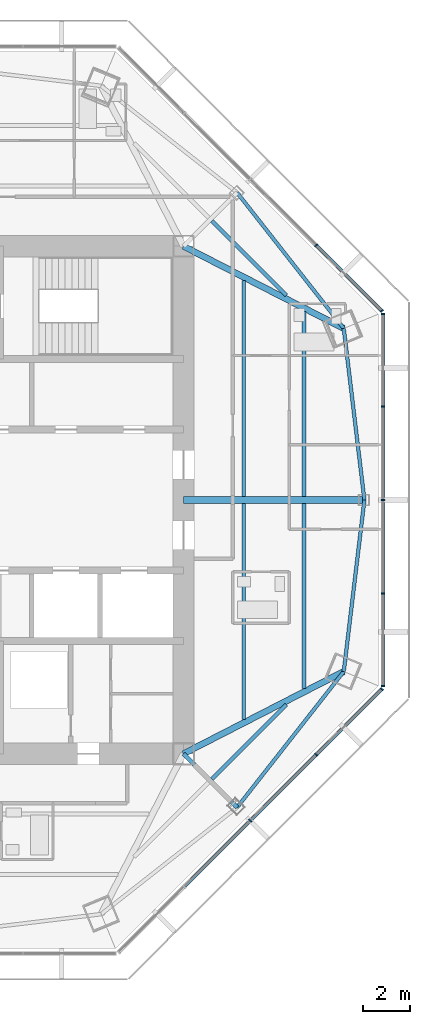
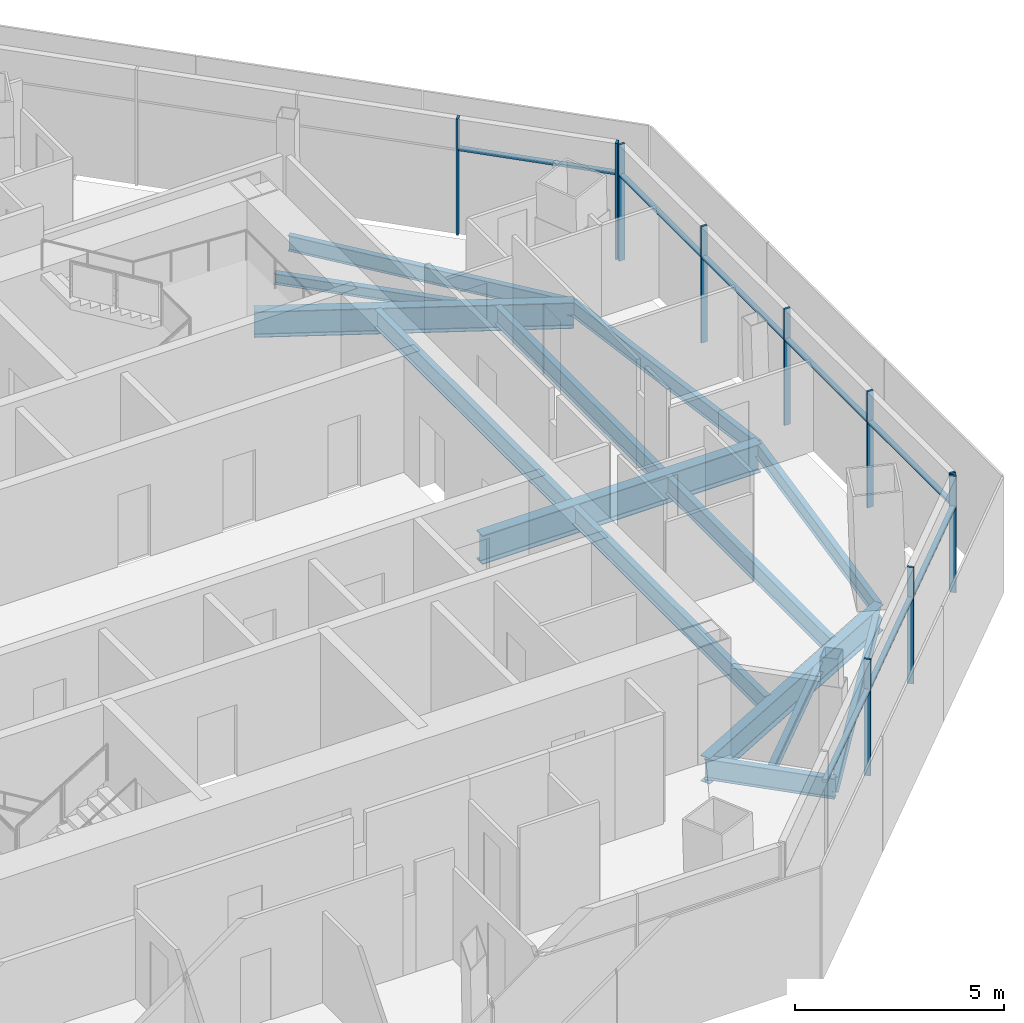
# One storey, part 5 of 15: 18 members, 14 beams, 3 elements without a shape of their own.
"""IFC4 building model written with IfcOpenShell, lengths in metres."""

import ifcopenshell
import ifcopenshell.guid

model = None  # the IFC model being written
_history = None  # IfcOwnerHistory: only IFC2X3 demands one
_inside = {}  # id of a spatial element -> (the spatial element, [elements in it])
_under = {}  # id of a project, library or spatial element -> (it, [spatial elements below it])
_declared = {}  # id of a project -> (the project, [libraries it declares])
_typed = {}  # id of a type object -> (the type object, [elements of that type])
_made_of = {}  # id of a material, layer set ... -> (it, [elements and type objects made of it])


def new_model(schema):
    """Start an empty IFC model of exactly this schema.

    Asked for "IFC4X3", IfcOpenShell would pick the latest addendum, in which some entities
    have other attributes; the version numbers below select the first issue.
    IFC2X3 requires an IfcOwnerHistory on every rooted entity: one is made here for all.
    """
    global model, _history
    if schema == "IFC4X3":
        model = ifcopenshell.file(schema_version=(4, 3, 0, 0))
    else:
        model = ifcopenshell.file(schema=schema)
    _inside.clear()
    _under.clear()
    _declared.clear()
    _typed.clear()
    _made_of.clear()
    _history = None
    if model.schema == "IFC2X3":
        org = make("IfcOrganization", Name="unknown")
        user = make(
            "IfcPersonAndOrganization",
            ThePerson=make("IfcPerson", FamilyName="unknown"),
            TheOrganization=org,
        )
        app = make(
            "IfcApplication",
            ApplicationDeveloper=org,
            Version="unknown",
            ApplicationFullName="unknown",
            ApplicationIdentifier="unknown",
        )
        _history = make(
            "IfcOwnerHistory",
            OwningUser=user,
            OwningApplication=app,
            ChangeAction="ADDED",
            CreationDate=0,
        )
    return model


def make(cls, **values):
    """One entity of the class cls with the attributes given. An attribute that is None is left unset."""
    return model.create_entity(
        cls, **{name: value for name, value in values.items() if value is not None}
    )


def rooted(cls, **values):
    """An entity with a GlobalId (a new one), such as an element, a storey or a relation."""
    return make(cls, GlobalId=ifcopenshell.guid.new(), OwnerHistory=_history, **values)


def si_unit(unit_type, name, prefix=None):
    """IfcSIUnit, for example si_unit("LENGTHUNIT", "METRE", prefix="MILLI")."""
    return make("IfcSIUnit", UnitType=unit_type, Prefix=prefix, Name=name)


def assignment(units):
    """IfcUnitAssignment: the units of a project."""
    return None if units is None else make("IfcUnitAssignment", Units=units)


def point(xyz):
    """IfcCartesianPoint."""
    return None if xyz is None else make("IfcCartesianPoint", Coordinates=xyz)


def direction(xyz):
    """IfcDirection."""
    return None if xyz is None else make("IfcDirection", DirectionRatios=xyz)


def frame(location, z_axis=None, x_axis=None):
    """IfcAxis2Placement3D, a coordinate frame: its origin and axes. An axis left out is left unset."""
    return make(
        "IfcAxis2Placement3D",
        Location=point(location),
        Axis=direction(z_axis),
        RefDirection=direction(x_axis),
    )


def frame_2d(location, x_axis=None):
    """IfcAxis2Placement2D, a coordinate frame in the plane: its origin and x axis."""
    return make(
        "IfcAxis2Placement2D", Location=point(location), RefDirection=direction(x_axis)
    )


def origin():
    """The frame at (0, 0, 0) with its axes left unset."""
    return frame((0.0, 0.0, 0.0))


def origin_2d():
    """The frame at (0, 0) in the plane with its x axis left unset."""
    return frame_2d((0.0, 0.0))


def place(relative_to, where):
    """IfcLocalPlacement: puts the frame where relative to a parent placement (None: the world)."""
    return make(
        "IfcLocalPlacement", PlacementRelTo=relative_to, RelativePlacement=where
    )


def context(
    kind, dimensions, precision=None, world=None, true_north=None, identifier=None
):
    """IfcGeometricRepresentationContext, for example the 3D "Model" context."""
    return make(
        "IfcGeometricRepresentationContext",
        ContextIdentifier=identifier,
        ContextType=kind,
        CoordinateSpaceDimension=dimensions,
        Precision=precision,
        WorldCoordinateSystem=world,
        TrueNorth=true_north,
    )


def subcontext(parent, identifier, kind, view, scale=None):
    """IfcGeometricRepresentationSubContext, for example "Body" below "Model"."""
    return make(
        "IfcGeometricRepresentationSubContext",
        ContextIdentifier=identifier,
        ContextType=kind,
        ParentContext=parent,
        TargetScale=scale,
        TargetView=view,
    )


def project(units=None, contexts=None):
    """IfcProject with its units and contexts."""
    return rooted(
        "IfcProject",
        Name="project",
        RepresentationContexts=contexts,
        UnitsInContext=assignment(units),
    )


def spatial(cls, under=None, at=None, **own):
    """A site, building, storey or space (cls), placed at a placement, below another one or the project."""
    s = rooted(cls, ObjectPlacement=at, **own)
    if under is not None:
        _under.setdefault(under.id(), (under, []))[1].append(s)
    return s


def profile(cls, at=None, kind="AREA", **sizes):
    """A parametric profile (cls). Its sizes go by their IFC names, for example OverallWidth=200.0."""
    return make(cls, ProfileType=kind, Position=at, **sizes)


def rectangle(**sizes):
    """IfcRectangleProfileDef."""
    return profile("IfcRectangleProfileDef", **sizes)


def i_section(**sizes):
    """IfcIShapeProfileDef."""
    return profile("IfcIShapeProfileDef", **sizes)


def extrude(swept, where, along, depth):
    """IfcExtrudedAreaSolid: the profile swept, set in the frame where, extruded along a direction by depth."""
    return make(
        "IfcExtrudedAreaSolid",
        SweptArea=swept,
        Position=where,
        ExtrudedDirection=direction(along),
        Depth=depth,
    )


def shape(context_of_items, identifier, shape_type, items):
    """IfcShapeRepresentation: the items that make up one representation, for example the "Body"."""
    return make(
        "IfcShapeRepresentation",
        ContextOfItems=context_of_items,
        RepresentationIdentifier=identifier,
        RepresentationType=shape_type,
        Items=items,
    )


def source(mapping_origin, context_of_items, identifier, shape_type, items):
    """IfcRepresentationMap: a shape defined once, which mapped items show again and again."""
    return make(
        "IfcRepresentationMap",
        MappingOrigin=mapping_origin,
        MappedRepresentation=shape(context_of_items, identifier, shape_type, items),
    )


def transform(
    local_origin,
    x_axis=None,
    y_axis=None,
    z_axis=None,
    scale=None,
    scale2=None,
    scale3=None,
    uniform=True,
):
    """IfcCartesianTransformationOperator3D, or its non-uniform kind. x_axis, y_axis, z_axis: its Axis1, 2, 3."""
    if uniform:
        return make(
            "IfcCartesianTransformationOperator3D",
            Axis1=direction(x_axis),
            Axis2=direction(y_axis),
            LocalOrigin=point(local_origin),
            Scale=scale,
            Axis3=direction(z_axis),
        )
    return make(
        "IfcCartesianTransformationOperator3DnonUniform",
        Axis1=direction(x_axis),
        Axis2=direction(y_axis),
        LocalOrigin=point(local_origin),
        Scale=scale,
        Axis3=direction(z_axis),
        Scale2=scale2,
        Scale3=scale3,
    )


def mapped(mapping_source, mapping_target):
    """IfcMappedItem: shows the shape of a source again, moved by a transform."""
    return make(
        "IfcMappedItem", MappingSource=mapping_source, MappingTarget=mapping_target
    )


def material(Name=None, Category=None):
    """IfcMaterial."""
    return make("IfcMaterial", Name=Name, Category=Category)


def material_profile(
    of_material, cross_section, Name=None, Category=None, Priority=None
):
    """IfcMaterialProfile: a cross section and its material."""
    return make(
        "IfcMaterialProfile",
        Name=Name,
        Material=of_material,
        Profile=cross_section,
        Priority=Priority,
        Category=Category,
    )


def profile_set(profiles, Name=None, composite=None):
    """IfcMaterialProfileSet."""
    return make(
        "IfcMaterialProfileSet",
        Name=Name,
        MaterialProfiles=profiles,
        CompositeProfile=composite,
    )


def made_of(thing, what):
    """Note that an element or type object is made of a material, layer set ...; save() writes the relation."""
    if what is not None:
        _made_of.setdefault(what.id(), (what, []))[1].append(thing)
    return thing


def type_object(cls, material=None, **own):
    """A type object (cls), such as IfcWallType, which elements share."""
    return made_of(rooted(cls, **own), material)


def type_shapes(of_type, sources):
    """Give a type object the sources (RepresentationMaps) that its elements show as mapped items."""
    of_type.RepresentationMaps = sources


def element(
    cls,
    number,
    at=None,
    inside=None,
    cuts=None,
    type_object=None,
    material=None,
    context=None,
    identifier="Body",
    shape_type=None,
    held_by="IfcProductDefinitionShape",
    body=None,
    shapes=None,
    **own,
):
    """One element of the class cls, such as IfcWall. Its Tag is "e" and its number.

    at: its placement. inside: the storey or other place that contains it. cuts: it is an
    opening in that element (IfcRelVoidsElement). A single representation is given by context,
    identifier, shape_type and body (its items); several are given by shapes. held_by: the class
    of the entity that holds the representations. save() writes the other relations.
    """
    e = rooted(cls, Tag="e%d" % number, ObjectPlacement=at, **own)
    if body is not None:
        shapes = [shape(context, identifier, shape_type, body)]
    if shapes is not None:
        e.Representation = make(held_by, Representations=shapes)
    if inside is not None:
        _inside.setdefault(inside.id(), (inside, []))[1].append(e)
    if cuts is not None:
        rooted(
            "IfcRelVoidsElement", RelatingBuildingElement=cuts, RelatedOpeningElement=e
        )
    if type_object is not None:
        _typed.setdefault(type_object.id(), (type_object, []))[1].append(e)
    return made_of(e, material)


def aggregate(whole, parts):
    """IfcRelAggregates: a whole, such as a stair, and the parts it consists of."""
    return rooted("IfcRelAggregates", RelatingObject=whole, RelatedObjects=parts)


def save(model, path):
    """Write the relations noted so far, then the file.

    IfcRelAggregates (storeys below a building ...), IfcRelContainedInSpatialStructure (elements
    in a storey), IfcRelDefinesByType, IfcRelAssociatesMaterial and IfcRelDeclares: one each for
    every whole, place, type object, material and project.
    """
    for whole, parts in _under.values():
        aggregate(whole, parts)
    for where, things in _inside.values():
        rooted(
            "IfcRelContainedInSpatialStructure",
            RelatedElements=things,
            RelatingStructure=where,
        )
    for kind, things in _typed.values():
        rooted("IfcRelDefinesByType", RelatedObjects=things, RelatingType=kind)
    for what, things in _made_of.values():
        rooted("IfcRelAssociatesMaterial", RelatedObjects=things, RelatingMaterial=what)
    for by, libraries in _declared.values():
        rooted("IfcRelDeclares", RelatingContext=by, RelatedDefinitions=libraries)
    model.write(path)


model = new_model("IFC4")

# Units and contexts
model_context = context("Model", 3, precision=1e-05, world=origin(), true_north=direction((0.0, 1.0)))
body_context = subcontext(model_context, "Body", "Model", "MODEL_VIEW")
ifc_project = project(units=[si_unit("LENGTHUNIT", "METRE"), si_unit("AREAUNIT", "SQUARE_METRE"), si_unit("VOLUMEUNIT", "CUBIC_METRE"), si_unit("PLANEANGLEUNIT", "RADIAN"), si_unit("MASSUNIT", "GRAM", prefix="KILO")], contexts=[model_context])

# Site, building, storey
site_placement = place(None, origin())
site = spatial("IfcSite", under=ifc_project, at=site_placement, CompositionType="ELEMENT")
building_placement = place(site_placement, origin())
building = spatial("IfcBuilding", under=site, at=building_placement, Name="Mashrafa Tower", CompositionType="ELEMENT")
storey_placement = place(building_placement, frame((0.0, 0.0, 308.199951171875)))
storey = spatial("IfcBuildingStorey", under=building, at=storey_placement, Name="L76", CompositionType="ELEMENT", Elevation=308.199951171875)

# Beams
ifc_material_1 = material(Name="Steel ASTM A992", Category="steel")
ifc_material_profile_1 = material_profile(ifc_material_1, i_section(OverallWidth=0.164794921875, OverallDepth=0.309814453125, WebThickness=0.005859375, FlangeThickness=0.009765625, FilletRadius=0.007568359375, at=origin_2d()), Name="W12X26")
ifc_profile_set_1 = profile_set([ifc_material_profile_1], Name="Steel ASTM A992")
beam_type_1 = type_object("IfcBeamType", Name="Beam W12X26", PredefinedType="BEAM", material=ifc_profile_set_1)
for number, where, z_axis, x_axis, name in (
    (1, (12.00439453125, 11.87841796875, -0.35498046875), (0.707106781187, -0.707106781187, 0.0), (0.707106781187, 0.707106781187, 0.0), "Floor beam L76 019"),
    (2, (15.17919921875, -8.70361328125, -0.35498046875), (-0.707106781187, -0.707106781187, 0.0), (0.707106781187, -0.707106781187, 0.0), "Floor beam L76 022"),
):
    element("IfcBeam", number, at=place(storey_placement, frame(where, z_axis=z_axis, x_axis=x_axis)), inside=storey, type_object=beam_type_1, Name=name, PredefinedType="BEAM", context=body_context, shape_type="SweptSolid", body=[
        extrude(i_section(OverallWidth=0.164794921875, OverallDepth=0.309814453125, WebThickness=0.005859375, FlangeThickness=0.009765625, FilletRadius=0.007568359375, at=origin_2d()), origin(), (0.0, 0.0, 1.0), 4.48974609375),
    ])
ifc_material_2 = material(Name="Steel ASTM A992", Category="steel")
ifc_material_profile_2 = material_profile(ifc_material_2, i_section(OverallWidth=0.15234375, OverallDepth=0.449462890625, WebThickness=0.007568359375, FlangeThickness=0.0107421875, FilletRadius=0.01025390625, at=origin_2d()), Name="W18X35")
ifc_profile_set_2 = profile_set([ifc_material_profile_2], Name="Steel ASTM A992")
beam_type_2 = type_object("IfcBeamType", Name="Beam W18X35", PredefinedType="BEAM", material=ifc_profile_set_2)
for number, where, z_axis, x_axis, name in (
    (3, (13.082763671875, -13.082763671875, -0.4248046875), (0.617570758349, 0.786515326254, 0.0), (-0.786515326254, 0.617570758349, 0.0), "Spandrel beam L76 052"),
    (4, (17.62353515625, -7.2998046875, -0.4248046875), (0.119439821638, 0.992841442027, 0.0), (-0.992841442027, 0.119439821638, 0.0), "Spandrel beam L76 054"),
    (5, (17.62353515625, 7.2998046875, -0.4248046875), (-0.617570758349, 0.786515326254, 0.0), (-0.786515326254, -0.617570758349, 0.0), "Spandrel beam L76 055"),
    (6, (18.501708984375, 0.0, -0.4248046875), (-0.119439821638, 0.992841442027, 0.0), (-0.992841442027, -0.119439821638, 0.0), "Spandrel beam L76 056"),
):
    element("IfcBeam", number, at=place(storey_placement, frame(where, z_axis=z_axis, x_axis=x_axis)), inside=storey, type_object=beam_type_2, Name=name, PredefinedType="BEAM", context=body_context, shape_type="SweptSolid", body=[
        extrude(i_section(OverallWidth=0.15234375, OverallDepth=0.449462890625, WebThickness=0.007568359375, FlangeThickness=0.0107421875, FilletRadius=0.01025390625, at=origin_2d()), origin(), (0.0, 0.0, 1.0), 7.3525390625),
    ])
ifc_material_3 = material(Name="Steel ASTM A992", Category="steel")
ifc_material_profile_3 = material_profile(ifc_material_3, i_section(OverallWidth=0.165771484375, OverallDepth=0.5283203125, WebThickness=0.009765625, FlangeThickness=0.013671875, FilletRadius=0.012939453125, at=origin_2d()), Name="W21X50")
ifc_profile_set_3 = profile_set([ifc_material_profile_3], Name="Steel ASTM A992")
beam_type_3 = type_object("IfcBeamType", Name="Beam W21X50", PredefinedType="BEAM", material=ifc_profile_set_3)
for number, where, z_axis, x_axis, name in (
    (7, (13.3671875, -0.14599609375, -0.464111328125), (0.0, -1.0, 0.0), (1.0, 0.0, 0.0), "Floor beam L76 020"),
    (8, (13.3671875, 9.333251953125, -0.464111328125), (0.0, -1.0, 0.0), (1.0, 0.0, 0.0), "Floor beam L76 021"),
):
    element("IfcBeam", number, at=place(storey_placement, frame(where, z_axis=z_axis, x_axis=x_axis)), inside=storey, type_object=beam_type_3, Name=name, PredefinedType="BEAM", context=body_context, shape_type="SweptSolid", body=[
        extrude(i_section(OverallWidth=0.165771484375, OverallDepth=0.5283203125, WebThickness=0.009765625, FlangeThickness=0.013671875, FilletRadius=0.012939453125, at=origin_2d()), origin(), (0.0, 0.0, 1.0), 9.187255859375),
    ])
for number, where, z_axis, x_axis, name in (
    (9, (15.9345703125, -0.14599609375, -0.464111328125), (0.0, -1.0, 0.0), (1.0, 0.0, 0.0), "Floor beam L76 023"),
    (10, (15.9345703125, 8.016357421875, -0.464111328125), (0.0, -1.0, 0.0), (1.0, 0.0, 0.0), "Floor beam L76 024"),
):
    element("IfcBeam", number, at=place(storey_placement, frame(where, z_axis=z_axis, x_axis=x_axis)), inside=storey, type_object=beam_type_3, Name=name, PredefinedType="BEAM", context=body_context, shape_type="SweptSolid", body=[
        extrude(i_section(OverallWidth=0.165771484375, OverallDepth=0.5283203125, WebThickness=0.009765625, FlangeThickness=0.013671875, FilletRadius=0.012939453125, at=origin_2d()), origin(), (0.0, 0.0, 1.0), 7.870361328125),
    ])
ifc_material_4 = material(Name="Steel ASTM A992", Category="steel")
ifc_material_profile_4 = material_profile(ifc_material_4, i_section(OverallWidth=0.177978515625, OverallDepth=0.599365234375, WebThickness=0.010009765625, FlangeThickness=0.012939453125, FilletRadius=0.012939453125, at=origin_2d()), Name="W24X55")
ifc_profile_set_4 = profile_set([ifc_material_profile_4], Name="Steel ASTM A992")
beam_type_4 = type_object("IfcBeamType", Name="Beam W24X55", PredefinedType="BEAM", material=ifc_profile_set_4)
beam_1_placement = place(storey_placement, frame((10.800048828125, -10.800048828125, -0.499755859375), z_axis=(0.707106781187, -0.707106781187, 0.0), x_axis=(0.707106781187, 0.707106781187, 0.0)))
element("IfcBeam", 11, at=beam_1_placement, inside=storey, type_object=beam_type_4, Name="Radial girder L76 035", PredefinedType="BEAM", context=body_context, shape_type="SweptSolid", body=[
    extrude(i_section(OverallWidth=0.177978515625, OverallDepth=0.599365234375, WebThickness=0.010009765625, FlangeThickness=0.012939453125, FilletRadius=0.012939453125, at=origin_2d()), origin(), (0.0, 0.0, 1.0), 3.228271484375),
])
ifc_material_5 = material(Name="Steel ASTM A992", Category="steel")
ifc_material_profile_5 = material_profile(ifc_material_5, i_section(OverallWidth=0.2666015625, OverallDepth=0.75439453125, WebThickness=0.01318359375, FlangeThickness=0.01708984375, FilletRadius=0.0166015625, at=origin_2d()), Name="W30X99")
ifc_profile_set_5 = profile_set([ifc_material_profile_5], Name="Steel ASTM A992")
beam_type_5 = type_object("IfcBeamType", Name="Beam W30X99", PredefinedType="BEAM", material=ifc_profile_set_5)
for number, where, z_axis, x_axis, name in (
    (12, (10.800048828125, -10.800048828125, -0.5771484375), (0.889763431111, 0.456421994055, 0.0), (-0.456421994055, 0.889763431111, 0.0), "Radial girder L76 036"),
    (13, (10.800048828125, 10.800048828125, -0.5771484375), (0.889763431111, -0.456421994055, 0.0), (0.456421994055, 0.889763431111, 0.0), "Radial girder L76 040"),
):
    element("IfcBeam", number, at=place(storey_placement, frame(where, z_axis=z_axis, x_axis=x_axis)), inside=storey, type_object=beam_type_5, Name=name, PredefinedType="BEAM", context=body_context, shape_type="SweptSolid", body=[
        extrude(i_section(OverallWidth=0.2666015625, OverallDepth=0.75439453125, WebThickness=0.01318359375, FlangeThickness=0.01708984375, FilletRadius=0.0166015625, at=origin_2d()), origin(), (0.0, 0.0, 1.0), 7.6689453125),
    ])
ifc_material_6 = material(Name="Steel ASTM A992", Category="steel")
ifc_material_profile_6 = material_profile(ifc_material_6, i_section(OverallWidth=0.2919921875, OverallDepth=0.8408203125, WebThickness=0.0146484375, FlangeThickness=0.021728515625, FilletRadius=0.017333984375, at=origin_2d()), Name="W33X130")
ifc_profile_set_6 = profile_set([ifc_material_profile_6], Name="Steel ASTM A992")
beam_type_6 = type_object("IfcBeamType", Name="Beam W33X130", PredefinedType="BEAM", material=ifc_profile_set_6)
beam_2_placement = place(storey_placement, frame((10.800048828125, 0.0, -0.620361328125), z_axis=(1.0, 0.0, 0.0), x_axis=(0.0, 1.0, 0.0)))
element("IfcBeam", 14, at=beam_2_placement, inside=storey, type_object=beam_type_6, Name="Radial girder L76 037", PredefinedType="BEAM", context=body_context, shape_type="SweptSolid", body=[
    extrude(i_section(OverallWidth=0.2919921875, OverallDepth=0.8408203125, WebThickness=0.0146484375, FlangeThickness=0.021728515625, FilletRadius=0.017333984375, at=origin_2d()), origin(), (0.0, 0.0, 1.0), 7.70166015625),
])

# Curtain wall, members
ifc_material_7 = material(Name="Unitised aluminium curtain wall", Category="aluminium")
curtain_wall_type = type_object("IfcCurtainWallType", Name="Apartment curtain wall, zone 4 CW-D 160 deep", PredefinedType="NOTDEFINED", material=ifc_material_7)
curtain_wall_1_placement = place(storey_placement, origin())
curtain_wall_1 = element("IfcCurtainWall", 15, at=curtain_wall_1_placement, inside=storey, type_object=curtain_wall_type, Name="Apartment curtain wall, zone 4 L76 east", PredefinedType="NOTDEFINED")
ifc_material_8 = material(Name="Extruded aluminium mullion", Category="aluminium")
ifc_material_profile_7 = material_profile(ifc_material_8, rectangle(XDim=0.159912109375, YDim=0.06005859375, at=origin_2d()), Name="Mullion 60x160")
ifc_profile_set_7 = profile_set([ifc_material_profile_7], Name="Extruded aluminium mullion")
member_type_1 = type_object("IfcMemberType", Name="Mullion CW-D 60 x 160", PredefinedType="MULLION", material=ifc_profile_set_7)
shared_shape_1 = source(origin(), body_context, "Body", "SweptSolid", [
    extrude(rectangle(XDim=0.159912109375, YDim=0.06005859375, at=origin_2d()), origin(), (0.0, 0.0, 1.0), 3.400146484375),
])
type_shapes(member_type_1, [shared_shape_1])
member_1_placement = place(storey_placement, frame((19.296142578125, -7.919677734375, 0.0), z_axis=(0.0, 0.0, 1.0), x_axis=(-1.0, 0.0, 0.0)))
member_1 = element("IfcMember", 16, at=member_1_placement, type_object=member_type_1, Name="CW-D mullion 1", PredefinedType="MULLION", context=body_context, shape_type="MappedRepresentation", body=[
    mapped(shared_shape_1, transform((0.0, 0.0, 0.0))),
])
member_2_placement = place(storey_placement, frame((19.296142578125, -3.974853515625, 0.0), z_axis=(0.0, 0.0, 1.0), x_axis=(-1.0, 0.0, 0.0)))
member_2 = element("IfcMember", 17, at=member_2_placement, type_object=member_type_1, Name="CW-D mullion 2", PredefinedType="MULLION", context=body_context, shape_type="MappedRepresentation", body=[
    mapped(shared_shape_1, transform((0.0, 0.0, 0.0))),
])
member_3_placement = place(storey_placement, frame((19.296142578125, 0.0, 0.0), z_axis=(0.0, 0.0, 1.0), x_axis=(-1.0, 0.0, 0.0)))
member_3 = element("IfcMember", 18, at=member_3_placement, type_object=member_type_1, Name="CW-D mullion 3", PredefinedType="MULLION", context=body_context, shape_type="MappedRepresentation", body=[
    mapped(shared_shape_1, transform((0.0, 0.0, 0.0))),
])
member_4_placement = place(storey_placement, frame((19.296142578125, 3.974853515625, 0.0), z_axis=(0.0, 0.0, 1.0), x_axis=(-1.0, 0.0, 0.0)))
member_4 = element("IfcMember", 19, at=member_4_placement, type_object=member_type_1, Name="CW-D mullion 4", PredefinedType="MULLION", context=body_context, shape_type="MappedRepresentation", body=[
    mapped(shared_shape_1, transform((0.0, 0.0, 0.0))),
])
member_5_placement = place(storey_placement, frame((19.296142578125, 7.919677734375, 0.0), z_axis=(0.0, 0.0, 1.0), x_axis=(-1.0, 0.0, 0.0)))
member_5 = element("IfcMember", 20, at=member_5_placement, type_object=member_type_1, Name="CW-D mullion 5", PredefinedType="MULLION", context=body_context, shape_type="MappedRepresentation", body=[
    mapped(shared_shape_1, transform((0.0, 0.0, 0.0))),
])

curtain_wall_2_placement = place(storey_placement, origin())
curtain_wall_2 = element("IfcCurtainWall", 21, at=curtain_wall_2_placement, inside=storey, type_object=curtain_wall_type, Name="Apartment curtain wall, zone 4 L76 north-east", PredefinedType="NOTDEFINED")
member_6_placement = place(storey_placement, frame((19.244384765625, 8.04443359375, 0.0), z_axis=(0.0, 0.0, 1.0), x_axis=(-0.707106781187, -0.707106781187, 0.0)))
member_6 = element("IfcMember", 22, at=member_6_placement, type_object=member_type_1, Name="CW-D mullion 1", PredefinedType="MULLION", context=body_context, shape_type="MappedRepresentation", body=[
    mapped(shared_shape_1, transform((0.0, 0.0, 0.0))),
])
member_7_placement = place(storey_placement, frame((16.455078125, 10.833740234375, 0.0), z_axis=(0.0, 0.0, 1.0), x_axis=(-0.707106781187, -0.707106781187, 0.0)))
member_7 = element("IfcMember", 23, at=member_7_placement, type_object=member_type_1, Name="CW-D mullion 2", PredefinedType="MULLION", context=body_context, shape_type="MappedRepresentation", body=[
    mapped(shared_shape_1, transform((0.0, 0.0, 0.0))),
])

curtain_wall_3_placement = place(storey_placement, origin())
curtain_wall_3 = element("IfcCurtainWall", 24, at=curtain_wall_3_placement, inside=storey, type_object=curtain_wall_type, Name="Apartment curtain wall, zone 4 L76 south-east", PredefinedType="NOTDEFINED")
member_8_placement = place(storey_placement, frame((13.64453125, -13.64453125, 0.0), z_axis=(0.0, 0.0, 1.0), x_axis=(-0.707106781187, 0.707106781187, 0.0)))
member_8 = element("IfcMember", 25, at=member_8_placement, type_object=member_type_1, Name="CW-D mullion 3", PredefinedType="MULLION", context=body_context, shape_type="MappedRepresentation", body=[
    mapped(shared_shape_1, transform((0.0, 0.0, 0.0))),
])
member_9_placement = place(storey_placement, frame((16.455078125, -10.833740234375, 0.0), z_axis=(0.0, 0.0, 1.0), x_axis=(-0.707106781187, 0.707106781187, 0.0)))
member_9 = element("IfcMember", 26, at=member_9_placement, type_object=member_type_1, Name="CW-D mullion 4", PredefinedType="MULLION", context=body_context, shape_type="MappedRepresentation", body=[
    mapped(shared_shape_1, transform((0.0, 0.0, 0.0))),
])
member_10_placement = place(storey_placement, frame((19.244384765625, -8.04443359375, 0.0), z_axis=(0.0, 0.0, 1.0), x_axis=(-0.707106781187, 0.707106781187, 0.0)))
member_10 = element("IfcMember", 27, at=member_10_placement, type_object=member_type_1, Name="CW-D mullion 5", PredefinedType="MULLION", context=body_context, shape_type="MappedRepresentation", body=[
    mapped(shared_shape_1, transform((0.0, 0.0, 0.0))),
])

# Member
ifc_material_9 = material(Name="Extruded aluminium transom", Category="aluminium")
ifc_material_profile_8 = material_profile(ifc_material_9, rectangle(XDim=0.1279296875, YDim=0.074951171875, at=origin_2d()), Name="Transom 75x128")
ifc_profile_set_8 = profile_set([ifc_material_profile_8], Name="Extruded aluminium transom")
member_type_2 = type_object("IfcMemberType", Name="Transom CW-D 75 x 128", PredefinedType="MULLION", material=ifc_profile_set_8)
shared_shape_2 = source(origin(), body_context, "Body", "SweptSolid", [
    extrude(rectangle(XDim=0.1279296875, YDim=0.074951171875, at=origin_2d()), origin(), (0.0, 0.0, 1.0), 3.884765625),
])
member_11_placement = place(storey_placement, frame((19.296142578125, -7.8896484375, 2.5), z_axis=(0.0, 1.0, 0.0), x_axis=(-1.0, 0.0, 0.0)))
member_11 = element("IfcMember", 28, at=member_11_placement, type_object=member_type_2, Name="CW-D transom 1", PredefinedType="MULLION", context=body_context, shape_type="MappedRepresentation", body=[
    mapped(shared_shape_2, transform((0.0, 0.0, 0.0))),
])

member_12_placement = place(storey_placement, frame((19.296142578125, 4.0048828125, 2.5), z_axis=(0.0, 1.0, 0.0), x_axis=(-1.0, 0.0, 0.0)))
member_12 = element("IfcMember", 29, at=member_12_placement, type_object=member_type_2, Name="CW-D transom 4", PredefinedType="MULLION", context=body_context, shape_type="MappedRepresentation", body=[
    mapped(shared_shape_2, transform((0.0, 0.0, 0.0))),
])

member_13_placement = place(storey_placement, frame((19.22314453125, 8.065673828125, 2.5), z_axis=(-0.70707535771, 0.707138203267, 0.0), x_axis=(-0.707138203267, -0.70707535771, 0.0)))
member_13 = element("IfcMember", 30, at=member_13_placement, type_object=member_type_2, Name="CW-D transom 1", PredefinedType="MULLION", context=body_context, shape_type="MappedRepresentation", body=[
    mapped(shared_shape_2, transform((0.0, 0.0, 0.0))),
])

aggregate(curtain_wall_2, [member_6, member_7, member_13])

member_14_placement = place(storey_placement, frame((16.476318359375, -10.812744140625, 2.5), z_axis=(0.70707535771, 0.707138203267, 0.0), x_axis=(-0.707138203267, 0.70707535771, 0.0)))
member_14 = element("IfcMember", 31, at=member_14_placement, type_object=member_type_2, Name="CW-D transom 4", PredefinedType="MULLION", context=body_context, shape_type="MappedRepresentation", body=[
    mapped(shared_shape_2, transform((0.0, 0.0, 0.0))),
])

shared_shape_3 = source(origin(), body_context, "Body", "SweptSolid", [
    extrude(rectangle(XDim=0.1279296875, YDim=0.074951171875, at=origin_2d()), origin(), (0.0, 0.0, 1.0), 3.914794921875),
])
type_shapes(member_type_2, [shared_shape_2, shared_shape_3])
member_15_placement = place(storey_placement, frame((19.296142578125, -3.94482421875, 2.5), z_axis=(0.0, 1.0, 0.0), x_axis=(-1.0, 0.0, 0.0)))
member_15 = element("IfcMember", 32, at=member_15_placement, type_object=member_type_2, Name="CW-D transom 2", PredefinedType="MULLION", context=body_context, shape_type="MappedRepresentation", body=[
    mapped(shared_shape_3, transform((0.0, 0.0, 0.0))),
])

member_16_placement = place(storey_placement, frame((19.296142578125, 0.030029296875, 2.5), z_axis=(0.0, 1.0, 0.0), x_axis=(-1.0, 0.0, 0.0)))
member_16 = element("IfcMember", 33, at=member_16_placement, type_object=member_type_2, Name="CW-D transom 3", PredefinedType="MULLION", context=body_context, shape_type="MappedRepresentation", body=[
    mapped(shared_shape_3, transform((0.0, 0.0, 0.0))),
])

aggregate(curtain_wall_1, [member_1, member_2, member_3, member_4, member_5, member_11, member_15, member_16, member_12])

member_17_placement = place(storey_placement, frame((10.85498046875, -16.433837890625, 2.5), z_axis=(0.707137962171, 0.707075598827, 0.0), x_axis=(-0.707075598827, 0.707137962171, 0.0)))
member_17 = element("IfcMember", 34, at=member_17_placement, type_object=member_type_2, Name="CW-D transom 2", PredefinedType="MULLION", context=body_context, shape_type="MappedRepresentation", body=[
    mapped(shared_shape_3, transform((0.0, 0.0, 0.0))),
])

member_18_placement = place(storey_placement, frame((13.665771484375, -13.623291015625, 2.5), z_axis=(0.707075598827, 0.707137962171, 0.0), x_axis=(-0.707137962171, 0.707075598827, 0.0)))
member_18 = element("IfcMember", 35, at=member_18_placement, type_object=member_type_2, Name="CW-D transom 3", PredefinedType="MULLION", context=body_context, shape_type="MappedRepresentation", body=[
    mapped(shared_shape_3, transform((0.0, 0.0, 0.0))),
])

aggregate(curtain_wall_3, [member_8, member_9, member_10, member_17, member_18, member_14])

save(model, "model.ifc")
